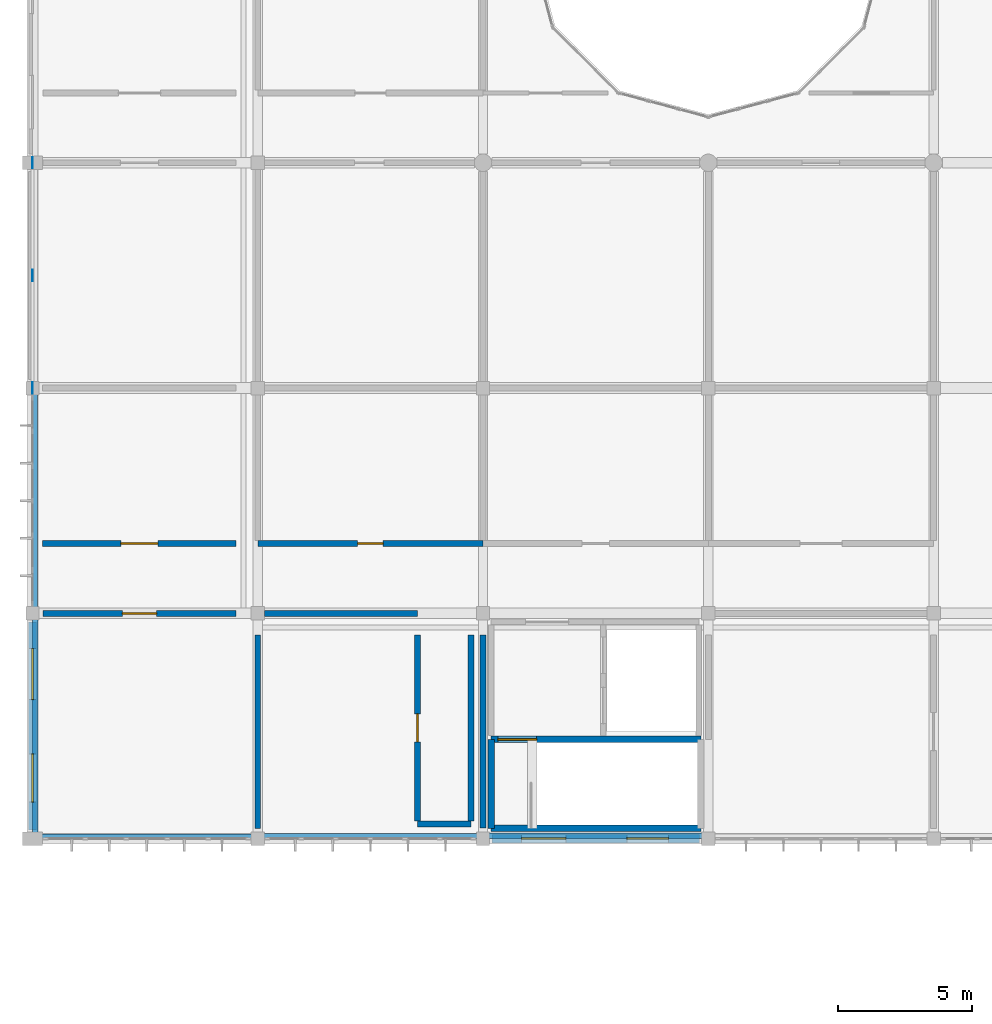
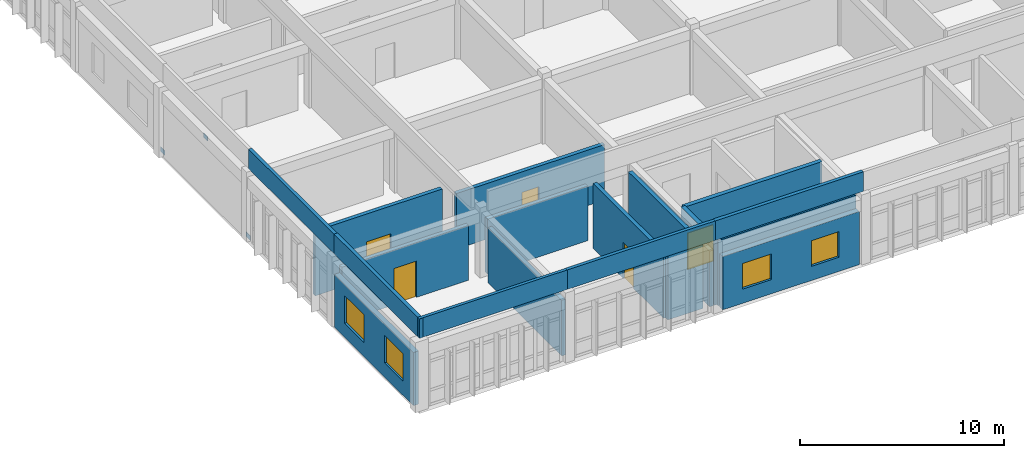
# One storey, part 76 of 119: 19 walls, 5 doors, 4 windows, 3 plates, 9 openings.
"""IFC4 building model written with IfcOpenShell, lengths in metres."""

from ifc_helpers import new_model, si_unit, direction, frame, frame_2d, origin, origin_2d, place, context, subcontext, project, spatial, rectangle, extrude, material, layer, layer_set, type_object, element, fill, save


model = new_model("IFC4")

# Units and contexts
model_context = context("Model", 3, precision=1e-05, world=origin(), true_north=direction((0.0, 1.0)))
body_context = subcontext(model_context, "Body", "Model", "MODEL_VIEW")
ifc_project = project(units=[si_unit("LENGTHUNIT", "METRE"), si_unit("AREAUNIT", "SQUARE_METRE"), si_unit("VOLUMEUNIT", "CUBIC_METRE"), si_unit("PLANEANGLEUNIT", "RADIAN"), si_unit("MASSUNIT", "GRAM", prefix="KILO")], contexts=[model_context])

# Site, building, storey
site_placement = place(None, origin())
site = spatial("IfcSite", under=ifc_project, at=site_placement, CompositionType="ELEMENT")
building_placement = place(site_placement, origin())
building = spatial("IfcBuilding", under=site, at=building_placement, Name="Bramfleet General Hospital", CompositionType="ELEMENT")
storey_placement = place(building_placement, frame((0.0, 0.0, 14.39990234375)))
storey = spatial("IfcBuildingStorey", under=building, at=storey_placement, Name="L03", CompositionType="ELEMENT", Elevation=14.39990234375)

# Plates
ifc_material_1 = material(Name="Steel S355", Category="steel")
ifc_layer_1 = layer(ifc_material_1, 0.01611328125, Name="PL-GP-420")
ifc_layer_set_1 = layer_set([ifc_layer_1], Name="Steel S355")
plate_type = type_object("IfcPlateType", Name="PL-GP-420", PredefinedType="USERDEFINED", material=ifc_layer_set_1)
for number, where, z_axis, x_axis, name in (
    (1, (0.0, 71.39990234375, 3.41015625), (0.0, 0.0, 1.0), (1.0, 0.0, 0.0), "L03 Chevron Gusset Plate 10"),
    (2, (0.0, 67.199951171875, 0.0), (0.0, 0.0, 1.0), (1.0, 0.0, 0.0), "L03 Brace Foot Gusset Plate 10A"),
    (3, (0.0, 75.60009765625, 0.0), (0.0, 0.0, 1.0), (1.0, 0.0, 0.0), "L03 Brace Foot Gusset Plate 10B"),
):
    element("IfcPlate", number, at=place(storey_placement, frame(where, z_axis=z_axis, x_axis=x_axis)), inside=storey, type_object=plate_type, Name=name, ObjectType="Gusset plate", PredefinedType="USERDEFINED", context=body_context, shape_type="SweptSolid", body=[
        extrude(rectangle(XDim=0.01611328125, YDim=0.419921875, at=origin_2d()), origin(), (0.0, 0.0, 1.0), 0.280029296875),
    ])

# Wall, openings, windows
ifc_material_2 = material(Name="Precast concrete C40/50", Category="concrete")
ifc_layer_2 = layer(ifc_material_2, 0.31494140625, Name="WT-EW-04")
ifc_layer_set_2 = layer_set([ifc_layer_2], Name="Precast concrete C40/50")
wall_type_1 = type_object("IfcWallType", Name="WT-EW-04", PredefinedType="SOLIDWALL", material=ifc_layer_set_2)
wall_1_placement = place(storey_placement, frame((24.875, 50.39990234375, 0.0), z_axis=(0.0, 0.0, 1.0), x_axis=(-1.0, 0.0, 0.0)))
wall_1 = element("IfcWall", 4, at=wall_1_placement, inside=storey, type_object=wall_type_1, Name="L03 Exterior Wall 275", PredefinedType="SOLIDWALL", context=body_context, shape_type="SweptSolid", body=[
    extrude(rectangle(XDim=7.75, YDim=0.31494140625, at=frame_2d((3.875, 0.0))), origin(), (0.0, 0.0, 1.0), 3.190185546875),
])
opening_1_placement = place(wall_1_placement, frame((1.16259765625, 0.0, 0.85009765625)))
opening_1 = element("IfcOpeningElement", 5, at=opening_1_placement, cuts=wall_1, Name="Opening W-26", PredefinedType="OPENING", context=body_context, shape_type="SweptSolid", body=[
    extrude(rectangle(XDim=1.550048828125, YDim=1.5400390625, at=frame_2d((0.77490234375, 0.77001953125))), frame((0.0, 0.16748046875, 0.0), z_axis=(0.0, -1.0, 0.0), x_axis=(1.0, 0.0, 0.0)), (0.0, 0.0, 1.0), 0.3349609375),
])
opening_2_placement = place(wall_1_placement, frame((4.987548828125, 0.0, 0.85009765625)))
opening_2 = element("IfcOpeningElement", 6, at=opening_2_placement, cuts=wall_1, Name="Opening W-27", PredefinedType="OPENING", context=body_context, shape_type="SweptSolid", body=[
    extrude(rectangle(XDim=1.64990234375, YDim=1.5400390625, at=frame_2d((0.824951171875, 0.77001953125))), frame((0.0, 0.16748046875, 0.0), z_axis=(0.0, -1.0, 0.0), x_axis=(1.0, 0.0, 0.0)), (0.0, 0.0, 1.0), 0.3349609375),
])
ifc_material_3 = material(Name="Anodised aluminium and low-E triple glazing", Category="aluminium")
window_type_1 = type_object("IfcWindowType", Name="WIN-W-26", PartitioningType="SINGLE_PANEL", PredefinedType="WINDOW", material=ifc_material_3)
window_1_placement = place(opening_1_placement, origin())
window_1 = element("IfcWindow", 7, at=window_1_placement, inside=storey, type_object=window_type_1, Name="L03 Facade Window WIN-L03-275-1", OverallHeight=1.5400390625, OverallWidth=1.550048828125, PartitioningType="SINGLE_PANEL", PredefinedType="WINDOW", context=body_context, shape_type="SweptSolid", body=[
    extrude(rectangle(XDim=1.550048828125, YDim=1.5400390625, at=frame_2d((0.77490234375, 0.77001953125))), frame((0.0, 0.030029296875, 0.0), z_axis=(0.0, -1.0, 0.0), x_axis=(1.0, 0.0, 0.0)), (0.0, 0.0, 1.0), 0.06005859375),
])
fill(opening_1, window_1)
window_type_2 = type_object("IfcWindowType", Name="WIN-W-27", PartitioningType="SINGLE_PANEL", PredefinedType="WINDOW", material=ifc_material_3)
window_2_placement = place(opening_2_placement, origin())
window_2 = element("IfcWindow", 8, at=window_2_placement, inside=storey, type_object=window_type_2, Name="L03 Facade Window WIN-L03-275-2", OverallHeight=1.5400390625, OverallWidth=1.64990234375, PartitioningType="SINGLE_PANEL", PredefinedType="WINDOW", context=body_context, shape_type="SweptSolid", body=[
    extrude(rectangle(XDim=1.64990234375, YDim=1.5400390625, at=frame_2d((0.824951171875, 0.77001953125))), frame((0.0, 0.030029296875, 0.0), z_axis=(0.0, -1.0, 0.0), x_axis=(1.0, 0.0, 0.0)), (0.0, 0.0, 1.0), 0.06005859375),
])
fill(opening_2, window_2)

ifc_layer_3 = layer(ifc_material_2, 0.294921875, Name="WT-EW-05")
ifc_layer_set_3 = layer_set([ifc_layer_3], Name="Precast concrete C40/50")
wall_type_2 = type_object("IfcWallType", Name="WT-EW-05", PredefinedType="SOLIDWALL", material=ifc_layer_set_3)
wall_2_placement = place(storey_placement, frame((0.0, 50.72509765625, 0.0), z_axis=(0.0, 0.0, 1.0), x_axis=(0.0, 1.0, 0.0)))
wall_2 = element("IfcWall", 9, at=wall_2_placement, inside=storey, type_object=wall_type_2, Name="L03 Exterior Wall 234", PredefinedType="SOLIDWALL", context=body_context, shape_type="SweptSolid", body=[
    extrude(rectangle(XDim=7.75, YDim=0.294921875, at=frame_2d((3.875, 0.0))), origin(), (0.0, 0.0, 1.0), 3.190185546875),
])
opening_3_placement = place(wall_2_placement, frame((1.03759765625, 0.0, 0.85009765625)))
opening_3 = element("IfcOpeningElement", 10, at=opening_3_placement, cuts=wall_2, Name="Opening W-38", PredefinedType="OPENING", context=body_context, shape_type="SweptSolid", body=[
    extrude(rectangle(XDim=1.800048828125, YDim=1.659912109375, at=frame_2d((0.89990234375, 0.830078125))), frame((0.0, 0.157470703125, 0.0), z_axis=(0.0, -1.0, 0.0), x_axis=(1.0, 0.0, 0.0)), (0.0, 0.0, 1.0), 0.31494140625),
])
opening_4_placement = place(wall_2_placement, frame((4.862548828125, 0.0, 0.85009765625)))
opening_4 = element("IfcOpeningElement", 11, at=opening_4_placement, cuts=wall_2, Name="Opening W-39", PredefinedType="OPENING", context=body_context, shape_type="SweptSolid", body=[
    extrude(rectangle(XDim=1.89990234375, YDim=1.659912109375, at=frame_2d((0.949951171875, 0.830078125))), frame((0.0, 0.157470703125, 0.0), z_axis=(0.0, -1.0, 0.0), x_axis=(1.0, 0.0, 0.0)), (0.0, 0.0, 1.0), 0.31494140625),
])
window_type_3 = type_object("IfcWindowType", Name="WIN-W-38", PartitioningType="SINGLE_PANEL", PredefinedType="WINDOW", material=ifc_material_3)
window_3_placement = place(opening_3_placement, origin())
window_3 = element("IfcWindow", 12, at=window_3_placement, inside=storey, type_object=window_type_3, Name="L03 Facade Window WIN-L03-234-1", OverallHeight=1.659912109375, OverallWidth=1.800048828125, PartitioningType="SINGLE_PANEL", PredefinedType="WINDOW", context=body_context, shape_type="SweptSolid", body=[
    extrude(rectangle(XDim=1.800048828125, YDim=1.659912109375, at=frame_2d((0.89990234375, 0.830078125))), frame((0.0, 0.030029296875, 0.0), z_axis=(0.0, -1.0, 0.0), x_axis=(1.0, 0.0, 0.0)), (0.0, 0.0, 1.0), 0.06005859375),
])
fill(opening_3, window_3)
window_type_4 = type_object("IfcWindowType", Name="WIN-W-39", PartitioningType="SINGLE_PANEL", PredefinedType="WINDOW", material=ifc_material_3)
window_4_placement = place(opening_4_placement, origin())
window_4 = element("IfcWindow", 13, at=window_4_placement, inside=storey, type_object=window_type_4, Name="L03 Facade Window WIN-L03-234-2", OverallHeight=1.659912109375, OverallWidth=1.89990234375, PartitioningType="SINGLE_PANEL", PredefinedType="WINDOW", context=body_context, shape_type="SweptSolid", body=[
    extrude(rectangle(XDim=1.89990234375, YDim=1.659912109375, at=frame_2d((0.949951171875, 0.830078125))), frame((0.0, 0.030029296875, 0.0), z_axis=(0.0, -1.0, 0.0), x_axis=(1.0, 0.0, 0.0)), (0.0, 0.0, 1.0), 0.06005859375),
])
fill(opening_4, window_4)

# Wall
ifc_material_4 = material(Name="Concrete C35/45", Category="concrete")
ifc_layer_4 = layer(ifc_material_4, 0.219970703125, Name="WT-IW-01")
ifc_layer_set_4 = layer_set([ifc_layer_4], Name="Concrete C35/45")
wall_type_3 = type_object("IfcWallType", Name="WT-IW-01", PredefinedType="PARTITIONING", material=ifc_layer_set_4)
wall_3_placement = place(storey_placement, frame((14.35009765625, 50.949951171875, 0.0), z_axis=(0.0, 0.0, 1.0), x_axis=(1.0, 0.0, 0.0)))
element("IfcWall", 14, at=wall_3_placement, inside=storey, type_object=wall_type_3, Name="L03 Interior Partition IW-L03-2535", PredefinedType="PARTITIONING", context=body_context, shape_type="SweptSolid", body=[
    extrude(rectangle(XDim=2.0, YDim=0.219970703125, at=frame_2d((1.0, 0.0))), origin(), (0.0, 0.0, 1.0), 3.89013671875),
])

# Wall, opening, door
wall_4_placement = place(storey_placement, frame((0.389892578125, 58.800048828125, 0.0), z_axis=(0.0, 0.0, 1.0), x_axis=(1.0, 0.0, 0.0)))
wall_4 = element("IfcWall", 15, at=wall_4_placement, inside=storey, type_object=wall_type_3, Name="L03 Interior Partition IW-L03-2536", PredefinedType="PARTITIONING", context=body_context, shape_type="SweptSolid", body=[
    extrude(rectangle(XDim=7.2001953125, YDim=0.219970703125, at=frame_2d((3.60009765625, 0.0))), origin(), (0.0, 0.0, 1.0), 3.2900390625),
])
opening_5_placement = place(wall_4_placement, frame((2.9599609375, 0.0, 0.0)))
opening_5 = element("IfcOpeningElement", 16, at=opening_5_placement, cuts=wall_4, Name="Opening D1021", PredefinedType="OPENING", context=body_context, shape_type="SweptSolid", body=[
    extrude(rectangle(XDim=1.280029296875, YDim=2.179931640625, at=frame_2d((0.64013671875, 1.08984375))), frame((0.0, 0.119873046875, 0.0), z_axis=(0.0, -1.0, 0.0), x_axis=(1.0, 0.0, 0.0)), (0.0, 0.0, 1.0), 0.239990234375),
])
ifc_material_5 = material(Name="Stainless steel and acoustic timber leaf", Category="steel")
door_type_1 = type_object("IfcDoorType", Name="DR-D-29", OperationType="NOTDEFINED", PredefinedType="DOOR", material=ifc_material_5)
door_1_placement = place(opening_5_placement, origin())
door_1 = element("IfcDoor", 17, at=door_1_placement, inside=storey, type_object=door_type_1, Name="Surgical Air-Handling Plant Room L03-0006 Door D1021", OperationType="SINGLE_SWING_RIGHT", OverallHeight=2.179931640625, OverallWidth=1.280029296875, PredefinedType="DOOR", context=body_context, shape_type="SweptSolid", body=[
    extrude(rectangle(XDim=1.280029296875, YDim=2.179931640625, at=frame_2d((0.64013671875, 1.08984375))), frame((0.0, 0.02490234375, 0.0), z_axis=(0.0, -1.0, 0.0), x_axis=(1.0, 0.0, 0.0)), (0.0, 0.0, 1.0), 0.050048828125),
])
fill(opening_5, door_1)

# Wall
wall_5_placement = place(storey_placement, frame((8.64501953125, 58.800048828125, 0.0), z_axis=(0.0, 0.0, 1.0), x_axis=(1.0, 0.0, 0.0)))
element("IfcWall", 18, at=wall_5_placement, inside=storey, type_object=wall_type_3, Name="L03 Interior Partition IW-L03-2537", PredefinedType="PARTITIONING", context=body_context, shape_type="SweptSolid", body=[
    extrude(rectangle(XDim=5.705078125, YDim=0.219970703125, at=frame_2d((2.8525390625, 0.0))), origin(), (0.0, 0.0, 1.0), 3.280029296875),
])

# Wall, opening, door
wall_6_placement = place(storey_placement, frame((0.382568359375, 61.39990234375, 0.0), z_axis=(0.0, 0.0, 1.0), x_axis=(1.0, 0.0, 0.0)))
wall_6 = element("IfcWall", 19, at=wall_6_placement, inside=storey, type_object=wall_type_3, Name="L03 Interior Partition IW-L03-2552", PredefinedType="PARTITIONING", context=body_context, shape_type="SweptSolid", body=[
    extrude(rectangle(XDim=7.20751953125, YDim=0.219970703125, at=frame_2d((3.603759765625, 0.0))), origin(), (0.0, 0.0, 1.0), 3.89013671875),
])
opening_6_placement = place(wall_6_placement, frame((2.913818359375, 0.0, 0.0)))
opening_6 = element("IfcOpeningElement", 20, at=opening_6_placement, cuts=wall_6, Name="Opening D1022", PredefinedType="OPENING", context=body_context, shape_type="SweptSolid", body=[
    extrude(rectangle(XDim=1.3798828125, YDim=2.219970703125, at=frame_2d((0.68994140625, 1.10986328125))), frame((0.0, 0.119873046875, 0.0), z_axis=(0.0, -1.0, 0.0), x_axis=(1.0, 0.0, 0.0)), (0.0, 0.0, 1.0), 0.239990234375),
])
door_type_2 = type_object("IfcDoorType", Name="DR-D-30", OperationType="NOTDEFINED", PredefinedType="DOOR", material=ifc_material_5)
door_2_placement = place(opening_6_placement, origin())
door_2 = element("IfcDoor", 21, at=door_2_placement, inside=storey, type_object=door_type_2, Name="Surgical Air-Handling Plant Room L03-0007 Door D1022", OperationType="SINGLE_SWING_LEFT", OverallHeight=2.219970703125, OverallWidth=1.3798828125, PredefinedType="DOOR", context=body_context, shape_type="SweptSolid", body=[
    extrude(rectangle(XDim=1.3798828125, YDim=2.219970703125, at=frame_2d((0.68994140625, 1.10986328125))), frame((0.0, 0.02490234375, 0.0), z_axis=(0.0, -1.0, 0.0), x_axis=(1.0, 0.0, 0.0)), (0.0, 0.0, 1.0), 0.050048828125),
])
fill(opening_6, door_2)

wall_7_placement = place(storey_placement, frame((8.39990234375, 61.39990234375, 0.0), z_axis=(0.0, 0.0, 1.0), x_axis=(1.0, 0.0, 0.0)))
wall_7 = element("IfcWall", 22, at=wall_7_placement, inside=storey, type_object=wall_type_3, Name="L03 Interior Partition IW-L03-2553", PredefinedType="PARTITIONING", context=body_context, shape_type="SweptSolid", body=[
    extrude(rectangle(XDim=8.400146484375, YDim=0.219970703125, at=frame_2d((4.2001953125, 0.0))), origin(), (0.0, 0.0, 1.0), 3.330078125),
])
opening_7_placement = place(wall_7_placement, frame((3.72509765625, 0.0, 0.0)))
opening_7 = element("IfcOpeningElement", 23, at=opening_7_placement, cuts=wall_7, Name="Opening D1034", PredefinedType="OPENING", context=body_context, shape_type="SweptSolid", body=[
    extrude(rectangle(XDim=0.949951171875, YDim=2.10009765625, at=frame_2d((0.47509765625, 1.050048828125))), frame((0.0, 0.119873046875, 0.0), z_axis=(0.0, -1.0, 0.0), x_axis=(1.0, 0.0, 0.0)), (0.0, 0.0, 1.0), 0.239990234375),
])
door_type_3 = type_object("IfcDoorType", Name="DR-D-10", OperationType="NOTDEFINED", PredefinedType="DOOR", material=ifc_material_5)
door_3_placement = place(opening_7_placement, origin())
door_3 = element("IfcDoor", 24, at=door_3_placement, inside=storey, type_object=door_type_3, Name="Surgical Air-Handling Plant Room L03-0107 Door D1034", OperationType="SINGLE_SWING_LEFT", OverallHeight=2.10009765625, OverallWidth=0.949951171875, PredefinedType="DOOR", context=body_context, shape_type="SweptSolid", body=[
    extrude(rectangle(XDim=0.949951171875, YDim=2.10009765625, at=frame_2d((0.47509765625, 1.050048828125))), frame((0.0, 0.02490234375, 0.0), z_axis=(0.0, -1.0, 0.0), x_axis=(1.0, 0.0, 0.0)), (0.0, 0.0, 1.0), 0.050048828125),
])
fill(opening_7, door_3)

# Wall
wall_8_placement = place(storey_placement, frame((8.39990234375, 50.782470703125, 0.0), z_axis=(0.0, 0.0, 1.0), x_axis=(0.0, 1.0, 0.0)))
element("IfcWall", 25, at=wall_8_placement, inside=storey, type_object=wall_type_3, Name="L03 Interior Partition IW-L03-2773", PredefinedType="PARTITIONING", context=body_context, shape_type="SweptSolid", body=[
    extrude(rectangle(XDim=7.215087890625, YDim=0.219970703125, at=frame_2d((3.607421875, 0.0))), origin(), (0.0, 0.0, 1.0), 3.340087890625),
])

# Wall, opening, door
wall_9_placement = place(storey_placement, frame((14.35009765625, 51.06494140625, 0.0), z_axis=(0.0, 0.0, 1.0), x_axis=(0.0, 1.0, 0.0)))
wall_9 = element("IfcWall", 26, at=wall_9_placement, inside=storey, type_object=wall_type_3, Name="L03 Interior Partition IW-L03-2789", PredefinedType="PARTITIONING", context=body_context, shape_type="SweptSolid", body=[
    extrude(rectangle(XDim=6.9326171875, YDim=0.219970703125, at=frame_2d((3.46630859375, 0.0))), origin(), (0.0, 0.0, 1.0), 3.89013671875),
])
opening_8_placement = place(wall_9_placement, frame((2.94140625, 0.0, 0.0)))
opening_8 = element("IfcOpeningElement", 27, at=opening_8_placement, cuts=wall_9, Name="Opening D1033", PredefinedType="OPENING", context=body_context, shape_type="SweptSolid", body=[
    extrude(rectangle(XDim=1.050048828125, YDim=2.14990234375, at=frame_2d((0.52490234375, 1.074951171875))), frame((0.0, 0.119873046875, 0.0), z_axis=(0.0, -1.0, 0.0), x_axis=(1.0, 0.0, 0.0)), (0.0, 0.0, 1.0), 0.239990234375),
])
door_type_4 = type_object("IfcDoorType", Name="DR-D-09", OperationType="NOTDEFINED", PredefinedType="DOOR", material=ifc_material_5)
door_4_placement = place(opening_8_placement, origin())
door_4 = element("IfcDoor", 28, at=door_4_placement, inside=storey, type_object=door_type_4, Name="Surgical Air-Handling Plant Room L03-0106 Door D1033", OperationType="SINGLE_SWING_RIGHT", OverallHeight=2.14990234375, OverallWidth=1.050048828125, PredefinedType="DOOR", context=body_context, shape_type="SweptSolid", body=[
    extrude(rectangle(XDim=1.050048828125, YDim=2.14990234375, at=frame_2d((0.52490234375, 1.074951171875))), frame((0.0, 0.02490234375, 0.0), z_axis=(0.0, -1.0, 0.0), x_axis=(1.0, 0.0, 0.0)), (0.0, 0.0, 1.0), 0.050048828125),
])
fill(opening_8, door_4)

# Walls
wall_10_placement = place(storey_placement, frame((16.35009765625, 51.06494140625, 0.0), z_axis=(0.0, 0.0, 1.0), x_axis=(0.0, 1.0, 0.0)))
element("IfcWall", 29, at=wall_10_placement, inside=storey, type_object=wall_type_3, Name="L03 Interior Partition IW-L03-2790", PredefinedType="PARTITIONING", context=body_context, shape_type="SweptSolid", body=[
    extrude(rectangle(XDim=6.9326171875, YDim=0.219970703125, at=frame_2d((3.46630859375, 0.0))), origin(), (0.0, 0.0, 1.0), 3.89013671875),
])
wall_11_placement = place(storey_placement, frame((16.800048828125, 50.7900390625, 0.0), z_axis=(0.0, 0.0, 1.0), x_axis=(0.0, 1.0, 0.0)))
element("IfcWall", 30, at=wall_11_placement, inside=storey, type_object=wall_type_3, Name="L03 Interior Partition IW-L03-2791", PredefinedType="PARTITIONING", context=body_context, shape_type="SweptSolid", body=[
    extrude(rectangle(XDim=7.20751953125, YDim=0.219970703125, at=frame_2d((3.603759765625, 0.0))), origin(), (0.0, 0.0, 1.0), 3.340087890625),
])
ifc_layer_5 = layer(ifc_material_2, 0.199951171875, Name="WT-PW-01")
ifc_layer_set_5 = layer_set([ifc_layer_5], Name="Precast concrete C40/50")
wall_type_4 = type_object("IfcWallType", Name="WT-PW-01", PredefinedType="PARAPET", material=ifc_layer_set_5)
wall_12_placement = place(storey_placement, frame((25.199951171875, 50.510009765625, 4.18017578125), z_axis=(0.0, 0.0, 1.0), x_axis=(-1.0, 0.0, 0.0)))
element("IfcWall", 31, at=wall_12_placement, inside=storey, type_object=wall_type_4, Name="Roof Parapet Wall 67", PredefinedType="PARAPET", context=body_context, shape_type="SweptSolid", body=[
    extrude(rectangle(XDim=8.39990234375, YDim=0.199951171875, at=frame_2d((4.199951171875, 0.0))), origin(), (0.0, 0.0, 1.0), 1.169921875),
])
wall_13_placement = place(storey_placement, frame((0.110107421875, 50.39990234375, 4.18017578125), z_axis=(0.0, 0.0, 1.0), x_axis=(0.0, 1.0, 0.0)))
element("IfcWall", 32, at=wall_13_placement, inside=storey, type_object=wall_type_4, Name="Roof Parapet Wall 70", PredefinedType="PARAPET", context=body_context, shape_type="SweptSolid", body=[
    extrude(rectangle(XDim=8.400146484375, YDim=0.199951171875, at=frame_2d((4.2001953125, 0.0))), origin(), (0.0, 0.0, 1.0), 1.169921875),
])
ifc_layer_6 = layer(ifc_material_2, 0.18505859375, Name="WT-PW-02")
ifc_layer_set_6 = layer_set([ifc_layer_6], Name="Precast concrete C40/50")
wall_type_5 = type_object("IfcWallType", Name="WT-PW-02", PredefinedType="PARAPET", material=ifc_layer_set_6)
wall_14_placement = place(storey_placement, frame((16.800048828125, 50.50244140625, 4.18017578125), z_axis=(0.0, 0.0, 1.0), x_axis=(-1.0, 0.0, 0.0)))
element("IfcWall", 33, at=wall_14_placement, inside=storey, type_object=wall_type_5, Name="Roof Parapet Wall 68", PredefinedType="PARAPET", context=body_context, shape_type="SweptSolid", body=[
    extrude(rectangle(XDim=8.400146484375, YDim=0.18505859375, at=frame_2d((4.2001953125, 0.0))), origin(), (0.0, 0.0, 1.0), 1.169921875),
])
wall_15_placement = place(storey_placement, frame((0.1025390625, 58.800048828125, 4.18017578125), z_axis=(0.0, 0.0, 1.0), x_axis=(0.0, 1.0, 0.0)))
element("IfcWall", 34, at=wall_15_placement, inside=storey, type_object=wall_type_5, Name="Roof Parapet Wall 71", PredefinedType="PARAPET", context=body_context, shape_type="SweptSolid", body=[
    extrude(rectangle(XDim=8.39990234375, YDim=0.18505859375, at=frame_2d((4.199951171875, 0.0))), origin(), (0.0, 0.0, 1.0), 1.169921875),
])
ifc_layer_7 = layer(ifc_material_2, 0.169921875, Name="WT-PW-03")
ifc_layer_set_7 = layer_set([ifc_layer_7], Name="Precast concrete C40/50")
wall_type_6 = type_object("IfcWallType", Name="WT-PW-03", PredefinedType="PARAPET", material=ifc_layer_set_7)
wall_16_placement = place(storey_placement, frame((8.39990234375, 50.4951171875, 4.18017578125), z_axis=(0.0, 0.0, 1.0), x_axis=(-1.0, 0.0, 0.0)))
element("IfcWall", 35, at=wall_16_placement, inside=storey, type_object=wall_type_6, Name="Roof Parapet Wall 69", PredefinedType="PARAPET", context=body_context, shape_type="SweptSolid", body=[
    extrude(rectangle(XDim=8.39990234375, YDim=0.169921875, at=frame_2d((4.199951171875, 0.0))), origin(), (0.0, 0.0, 1.0), 1.169921875),
])
ifc_material_6 = material(Name="Concrete C40/50", Category="concrete")
ifc_layer_8 = layer(ifc_material_6, 0.239990234375, Name="WT-SW-240")
ifc_layer_set_8 = layer_set([ifc_layer_8], Name="Concrete C40/50")
wall_type_7 = type_object("IfcWallType", Name="WT-SW-240", PredefinedType="SHEAR", material=ifc_layer_set_8)
wall_17_placement = place(storey_placement, frame((17.10009765625, 50.780029296875, 0.0), z_axis=(0.0, 0.0, 1.0), x_axis=(1.0, 0.0, 0.0)))
element("IfcWall", 36, at=wall_17_placement, inside=storey, type_object=wall_type_7, Name="L03 C2 South Stair Shear Wall", PredefinedType="SHEAR", context=body_context, shape_type="SweptSolid", body=[
    extrude(rectangle(XDim=7.81982421875, YDim=0.239990234375, at=frame_2d((3.909912109375, 0.0))), origin(), (0.0, 0.0, 1.0), 3.900146484375),
])
wall_18_placement = place(storey_placement, frame((17.10009765625, 50.780029296875, 0.0), z_axis=(0.0, 0.0, 1.0), x_axis=(0.0, 1.0, 0.0)))
element("IfcWall", 37, at=wall_18_placement, inside=storey, type_object=wall_type_7, Name="L03 C2 West Stair Shear Wall", PredefinedType="SHEAR", context=body_context, shape_type="SweptSolid", body=[
    extrude(rectangle(XDim=3.320068359375, YDim=0.239990234375, at=frame_2d((1.66015625, 0.0))), origin(), (0.0, 0.0, 1.0), 3.900146484375),
])

# Wall, opening, door
wall_19_placement = place(storey_placement, frame((17.10009765625, 54.10009765625, 0.0), z_axis=(0.0, 0.0, 1.0), x_axis=(1.0, 0.0, 0.0)))
wall_19 = element("IfcWall", 38, at=wall_19_placement, inside=storey, type_object=wall_type_7, Name="L03 C2 Stair-Lobby Shear Wall", PredefinedType="SHEAR", context=body_context, shape_type="SweptSolid", body=[
    extrude(rectangle(XDim=7.81982421875, YDim=0.239990234375, at=frame_2d((3.909912109375, 0.0))), origin(), (0.0, 0.0, 1.0), 3.900146484375),
])
opening_9_placement = place(wall_19_placement, frame((0.25, 0.0, 0.0)))
opening_9 = element("IfcOpeningElement", 39, at=opening_9_placement, cuts=wall_19, Name="Opening D0017", PredefinedType="OPENING", context=body_context, shape_type="SweptSolid", body=[
    extrude(rectangle(XDim=1.449951171875, YDim=2.199951171875, at=frame_2d((0.72509765625, 1.10009765625))), frame((0.0, 0.1298828125, 0.0), z_axis=(0.0, -1.0, 0.0), x_axis=(1.0, 0.0, 0.0)), (0.0, 0.0, 1.0), 0.260009765625),
])
door_type_5 = type_object("IfcDoorType", Name="DR-D-03", OperationType="NOTDEFINED", PredefinedType="DOOR", material=ifc_material_5)
door_5_placement = place(opening_9_placement, origin())
door_5 = element("IfcDoor", 40, at=door_5_placement, inside=storey, type_object=door_type_5, Name="L03 C2 Escape Stair Fire Door D0017", OperationType="SINGLE_SWING_RIGHT", OverallHeight=2.199951171875, OverallWidth=1.449951171875, PredefinedType="DOOR", context=body_context, shape_type="SweptSolid", body=[
    extrude(rectangle(XDim=1.449951171875, YDim=2.199951171875, at=frame_2d((0.72509765625, 1.10009765625))), frame((0.0, 0.02490234375, 0.0), z_axis=(0.0, -1.0, 0.0), x_axis=(1.0, 0.0, 0.0)), (0.0, 0.0, 1.0), 0.050048828125),
])
fill(opening_9, door_5)

save(model, "model.ifc")
